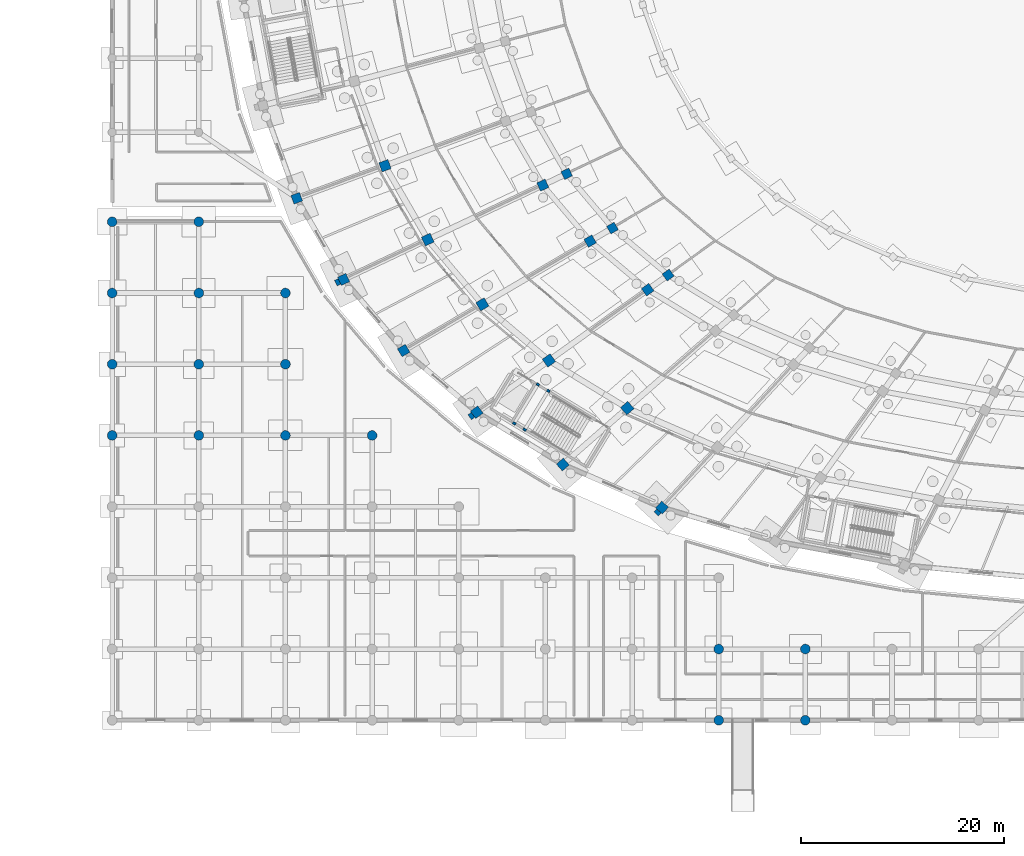
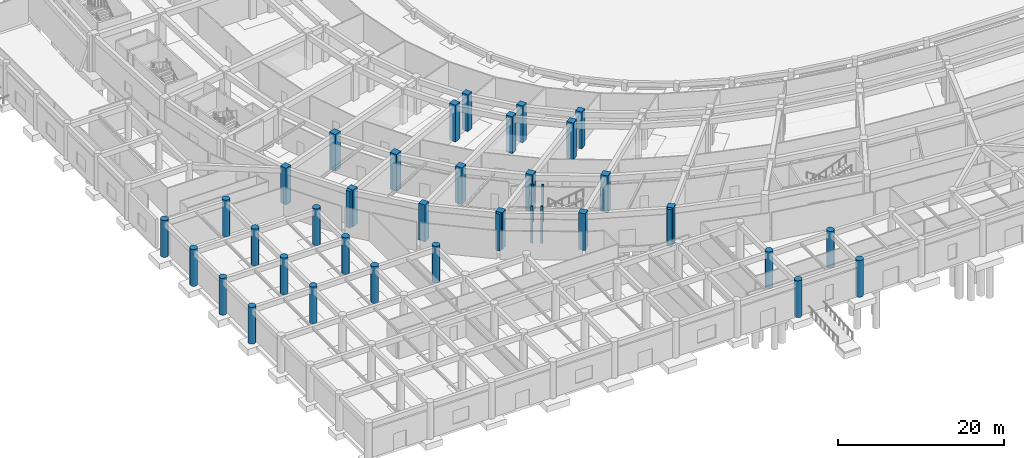
# One storey, part 15 of 88: 40 columns.
"""IFC4 building model written with IfcOpenShell, lengths in metres."""

from ifc_helpers import new_model, si_unit, direction, frame, origin, origin_2d, place, context, subcontext, project, spatial, rectangle, circle, extrude, material, material_profile, profile_set, type_object, element, save


model = new_model("IFC4")

# Units and contexts
model_context = context("Model", 3, precision=1e-05, world=origin(), true_north=direction((0.0, 1.0)))
body_context = subcontext(model_context, "Body", "Model", "MODEL_VIEW")
ifc_project = project(units=[si_unit("LENGTHUNIT", "METRE"), si_unit("AREAUNIT", "SQUARE_METRE"), si_unit("VOLUMEUNIT", "CUBIC_METRE"), si_unit("PLANEANGLEUNIT", "RADIAN"), si_unit("MASSUNIT", "GRAM", prefix="KILO")], contexts=[model_context])

# Site, building, storey
site_placement = place(None, origin())
site = spatial("IfcSite", under=ifc_project, at=site_placement, CompositionType="ELEMENT")
building_placement = place(site_placement, origin())
building = spatial("IfcBuilding", under=site, at=building_placement, Name="Mphavela Belvedere Stadium", CompositionType="ELEMENT")
storey_placement = place(building_placement, origin())
storey = spatial("IfcBuildingStorey", under=building, at=storey_placement, Name="L00", CompositionType="ELEMENT", Elevation=0.0)

# Columns
ifc_material_1 = material(Name="Concrete C40/50", Category="concrete")
ifc_material_profile_1 = material_profile(ifc_material_1, rectangle(XDim=0.300048828125, YDim=0.219970703125, at=origin_2d()), Name="RC 300x220")
ifc_profile_set_1 = profile_set([ifc_material_profile_1], Name="Concrete C40/50")
column_type_1 = type_object("IfcColumnType", Name="COL-CORE-POST-300", PredefinedType="COLUMN", material=ifc_profile_set_1)
for number, where, z_axis, x_axis, name in (
    (1, (42.879150390625, 32.381591796875, 0.0), (0.0, 0.0, 1.0), (-0.854368143929, 0.519668235165, 0.0), "Core C10 stair frame column L00-1"),
    (2, (41.85400390625, 33.005126953125, 0.0), (0.0, 0.0, 1.0), (-0.854368143929, 0.519668235165, 0.0), "Core C10 stair frame column L00-2"),
    (3, (39.531005859375, 29.18603515625, 0.0), (0.0, 0.0, 1.0), (-0.854368143929, 0.519668235165, 0.0), "Core C10 stair frame column L00-3"),
    (4, (40.55615234375, 28.5625, 0.0), (0.0, 0.0, 1.0), (-0.854368143929, 0.519668235165, 0.0), "Core C10 stair frame column L00-4"),
):
    element("IfcColumn", number, at=place(storey_placement, frame(where, z_axis=z_axis, x_axis=x_axis)), inside=storey, type_object=column_type_1, Name=name, PredefinedType="COLUMN", context=body_context, shape_type="SweptSolid", body=[
        extrude(rectangle(XDim=0.300048828125, YDim=0.219970703125, at=origin_2d()), origin(), (0.0, 0.0, 1.0), 5.39990234375),
    ])
ifc_material_2 = material(Name="Concrete C40/50", Category="concrete")
ifc_material_profile_2 = material_profile(ifc_material_2, circle(Radius=0.47509765625, at=origin_2d()), Name="COL D950")
ifc_profile_set_2 = profile_set([ifc_material_profile_2], Name="Concrete C40/50")
column_type_2 = type_object("IfcColumnType", Name="COL-DORIC-950", PredefinedType="COLUMN", material=ifc_profile_set_2)
for number, where, z_axis, x_axis, name in (
    (5, (0.0, 28.0, 0.0), (0.0, 0.0, 1.0), (1.0, 0.0, 0.0), "South Axial Triumphal Peristyle Portico classical column L00 1-5"),
    (6, (0.0, 35.0, 0.0), (0.0, 0.0, 1.0), (1.0, 0.0, 0.0), "South Axial Triumphal Peristyle Portico classical column L00 1-6"),
    (7, (0.0, 42.0, 0.0), (0.0, 0.0, 1.0), (1.0, 0.0, 0.0), "South Axial Triumphal Peristyle Portico classical column L00 1-7"),
    (8, (0.0, 49.0, 0.0), (0.0, 0.0, 1.0), (1.0, 0.0, 0.0), "South Axial Triumphal Peristyle Portico classical column L00 1-8"),
    (9, (8.51904296875, 28.0, 0.0), (0.0, 0.0, 1.0), (1.0, 0.0, 0.0), "South Axial Triumphal Peristyle Portico classical column L00 2-5"),
    (10, (8.51904296875, 35.0, 0.0), (0.0, 0.0, 1.0), (1.0, 0.0, 0.0), "South Axial Triumphal Peristyle Portico classical column L00 2-6"),
    (11, (8.51904296875, 42.0, 0.0), (0.0, 0.0, 1.0), (1.0, 0.0, 0.0), "South Axial Triumphal Peristyle Portico classical column L00 2-7"),
    (12, (8.51904296875, 49.0, 0.0), (0.0, 0.0, 1.0), (1.0, 0.0, 0.0), "South Axial Triumphal Peristyle Portico classical column L00 2-8"),
    (13, (17.037109375, 28.0, 0.0), (0.0, 0.0, 1.0), (1.0, 0.0, 0.0), "South Axial Triumphal Peristyle Portico classical column L00 3-5"),
    (14, (17.037109375, 35.0, 0.0), (0.0, 0.0, 1.0), (1.0, 0.0, 0.0), "South Axial Triumphal Peristyle Portico classical column L00 3-6"),
    (15, (17.037109375, 42.0, 0.0), (0.0, 0.0, 1.0), (1.0, 0.0, 0.0), "South Axial Triumphal Peristyle Portico classical column L00 3-7"),
    (16, (25.555908203125, 28.0, 0.0), (0.0, 0.0, 1.0), (1.0, 0.0, 0.0), "South Axial Triumphal Peristyle Portico classical column L00 4-5"),
    (17, (59.6298828125, 0.0, 0.0), (0.0, 0.0, 1.0), (1.0, 0.0, 0.0), "South Axial Triumphal Peristyle Portico classical column L00 8-1"),
    (18, (59.6298828125, 7.0, 0.0), (0.0, 0.0, 1.0), (1.0, 0.0, 0.0), "South Axial Triumphal Peristyle Portico classical column L00 8-2"),
    (19, (68.14794921875, 0.0, 0.0), (0.0, 0.0, 1.0), (1.0, 0.0, 0.0), "South Axial Triumphal Peristyle Portico classical column L00 9-1"),
    (20, (68.14794921875, 7.0, 0.0), (0.0, 0.0, 1.0), (1.0, 0.0, 0.0), "South Axial Triumphal Peristyle Portico classical column L00 9-2"),
):
    element("IfcColumn", number, at=place(storey_placement, frame(where, z_axis=z_axis, x_axis=x_axis)), inside=storey, type_object=column_type_2, Name=name, PredefinedType="COLUMN", context=body_context, shape_type="SweptSolid", body=[
        extrude(circle(Radius=0.47509765625, at=origin_2d()), origin(), (0.0, 0.0, 1.0), 5.39990234375),
    ])
ifc_material_3 = material(Name="Concrete C40/50", Category="concrete")
ifc_material_profile_3 = material_profile(ifc_material_3, rectangle(XDim=0.85009765625, YDim=0.85009765625, at=origin_2d()), Name="RC 850x850")
ifc_profile_set_3 = profile_set([ifc_material_profile_3], Name="Concrete C40/50")
column_type_3 = type_object("IfcColumnType", Name="COL-RC850", PredefinedType="COLUMN", material=ifc_profile_set_3)
for number, where, z_axis, x_axis, name in (
    (21, (44.68701171875, 53.718505859375, 0.0), (0.0, 0.0, 1.0), (-0.903858661687, -0.4278311813, 0.0), "Inner concourse column L00 R1-29"),
    (22, (49.1875, 48.388671875, 0.0), (0.0, 0.0, 1.0), (-0.862513669207, -0.506033764121, 0.0), "Inner concourse column L00 R1-30"),
    (23, (54.66259765625, 43.7685546875, 0.0), (0.0, 0.0, 1.0), (-0.812897512265, -0.582406760395, 0.0), "Inner concourse column L00 R1-31"),
):
    element("IfcColumn", number, at=place(storey_placement, frame(where, z_axis=z_axis, x_axis=x_axis)), inside=storey, type_object=column_type_3, Name=name, PredefinedType="COLUMN", context=body_context, shape_type="SweptSolid", body=[
        extrude(rectangle(XDim=0.85009765625, YDim=0.85009765625, at=origin_2d()), origin(), (0.0, 0.0, 1.0), 5.39990234375),
    ])
ifc_material_4 = material(Name="Concrete C40/50", Category="concrete")
ifc_material_profile_4 = material_profile(ifc_material_4, rectangle(XDim=0.89990234375, YDim=0.89990234375, at=origin_2d()), Name="RC 900x900")
ifc_profile_set_4 = profile_set([ifc_material_profile_4], Name="Concrete C40/50")
column_type_4 = type_object("IfcColumnType", Name="COL-RC900", PredefinedType="COLUMN", material=ifc_profile_set_4)
for number, where, z_axis, x_axis, name in (
    (24, (18.143798828125, 51.317626953125, 0.0), (0.0, 0.0, 1.0), (-0.938372433776, -0.34562577382, 0.0), "Outer colonnade column L00 R4-28"),
    (25, (42.33740234375, 52.606201171875, 0.0), (0.0, 0.0, 1.0), (-0.903858661687, -0.4278311813, 0.0), "Middle concourse column L00 R2-29"),
    (26, (22.757568359375, 43.33837890625, 0.0), (0.0, 0.0, 1.0), (-0.903858661687, -0.4278311813, 0.0), "Outer colonnade column L00 R4-29"),
    (27, (46.98828125, 47.098388671875, 0.0), (0.0, 0.0, 1.0), (-0.862513669207, -0.506033764121, 0.0), "Middle concourse column L00 R2-30"),
    (28, (28.66162109375, 36.346435546875, 0.0), (0.0, 0.0, 1.0), (-0.862513669207, -0.506033764121, 0.0), "Outer colonnade column L00 R4-30"),
    (29, (52.646240234375, 42.323974609375, 0.0), (0.0, 0.0, 1.0), (-0.812897512265, -0.582406760395, 0.0), "Middle concourse column L00 R2-31"),
    (30, (35.844482421875, 30.285400390625, 0.0), (0.0, 0.0, 1.0), (-0.812897512265, -0.582406760395, 0.0), "Outer colonnade column L00 R4-31"),
    (31, (44.3037109375, 25.13916015625, 0.0), (0.0, 0.0, 1.0), (-0.752529860433, -0.658558128912, 0.0), "Outer colonnade column L00 R4-32"),
    (32, (54.0625, 20.90869140625, 0.0), (0.0, 0.0, 1.0), (-0.677903094969, -0.735151272753, 0.0), "Outer colonnade column L00 R4-33"),
):
    element("IfcColumn", number, at=place(storey_placement, frame(where, z_axis=z_axis, x_axis=x_axis)), inside=storey, type_object=column_type_4, Name=name, PredefinedType="COLUMN", context=body_context, shape_type="SweptSolid", body=[
        extrude(rectangle(XDim=0.89990234375, YDim=0.89990234375, at=origin_2d()), origin(), (0.0, 0.0, 1.0), 5.39990234375),
    ])
ifc_material_5 = material(Name="Concrete C40/50", Category="concrete")
ifc_material_profile_5 = material_profile(ifc_material_5, rectangle(XDim=0.949951171875, YDim=0.949951171875, at=origin_2d()), Name="RC 950x950")
ifc_profile_set_5 = profile_set([ifc_material_profile_5], Name="Concrete C40/50")
column_type_5 = type_object("IfcColumnType", Name="COL-RC950", PredefinedType="COLUMN", material=ifc_profile_set_5)
for number, where, z_axis, x_axis, name in (
    (33, (26.824462890625, 54.515625, 0.0), (0.0, 0.0, 1.0), (-0.938372433776, -0.34562577382, 0.0), "Main bowl column L00 R3-28"),
    (34, (31.0244140625, 47.251708984375, 0.0), (0.0, 0.0, 1.0), (-0.903858661687, -0.4278311813, 0.0), "Main bowl column L00 R3-29"),
    (35, (36.399658203125, 40.88623046875, 0.0), (0.0, 0.0, 1.0), (-0.862513669207, -0.506033764121, 0.0), "Main bowl column L00 R3-30"),
    (36, (42.938720703125, 35.368408203125, 0.0), (0.0, 0.0, 1.0), (-0.812897512265, -0.582406760395, 0.0), "Main bowl column L00 R3-31"),
    (37, (50.639892578125, 30.68310546875, 0.0), (0.0, 0.0, 1.0), (-0.752529860433, -0.658558128912, 0.0), "Main bowl column L00 R3-32"),
):
    element("IfcColumn", number, at=place(storey_placement, frame(where, z_axis=z_axis, x_axis=x_axis)), inside=storey, type_object=column_type_5, Name=name, PredefinedType="COLUMN", context=body_context, shape_type="SweptSolid", body=[
        extrude(rectangle(XDim=0.949951171875, YDim=0.949951171875, at=origin_2d()), origin(), (0.0, 0.0, 1.0), 5.39990234375),
    ])
ifc_material_6 = material(Name="Concrete C40/50", Category="concrete")
ifc_material_profile_6 = material_profile(ifc_material_6, rectangle(XDim=0.60009765625, YDim=0.39990234375, at=origin_2d()), Name="PIL 600x400")
ifc_profile_set_6 = profile_set([ifc_material_profile_6], Name="Concrete C40/50")
column_type_6 = type_object("IfcColumnType", Name="PIL-FLUTED-600", PredefinedType="PILASTER", material=ifc_profile_set_6)
for number, where, z_axis, x_axis, name in (
    (38, (22.167236328125, 43.05908203125, 0.0), (0.0, 0.0, 1.0), (0.4278311813, -0.903858661687, 0.0), "Fluted classical pilaster L00-29"),
    (39, (35.313720703125, 29.9052734375, 0.0), (0.0, 0.0, 1.0), (0.582406760395, -0.812897512265, 0.0), "Fluted classical pilaster L00-31"),
    (40, (53.61962890625, 20.4287109375, 0.0), (0.0, 0.0, 1.0), (0.735151272753, -0.677903094969, 0.0), "Fluted classical pilaster L00-33"),
):
    element("IfcColumn", number, at=place(storey_placement, frame(where, z_axis=z_axis, x_axis=x_axis)), inside=storey, type_object=column_type_6, Name=name, PredefinedType="PILASTER", context=body_context, shape_type="SweptSolid", body=[
        extrude(rectangle(XDim=0.60009765625, YDim=0.39990234375, at=origin_2d()), origin(), (0.0, 0.0, 1.0), 5.39990234375),
    ])

save(model, "model.ifc")
